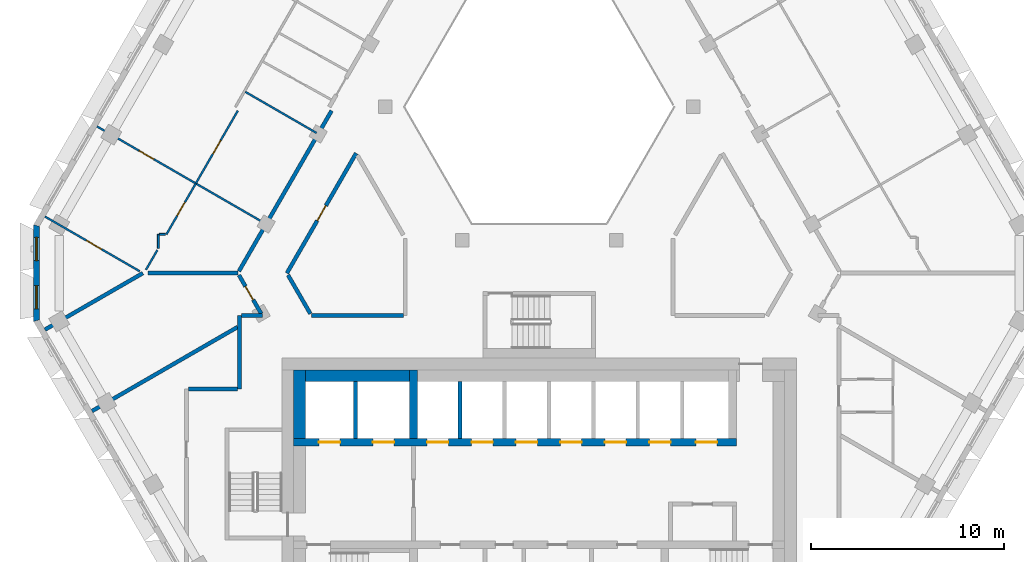
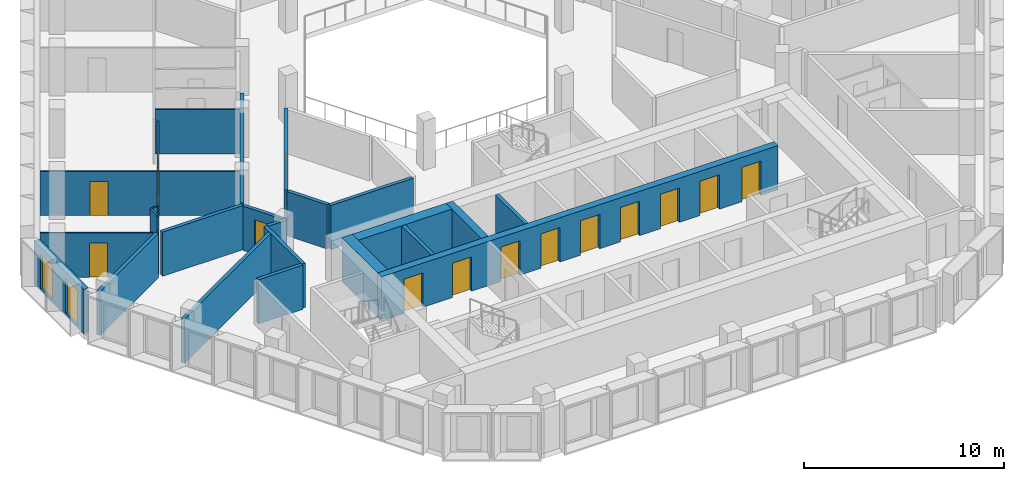
# One storey, part 4 of 17: 26 walls, 15 doors, 2 windows, 17 openings.
"""IFC4 building model written with IfcOpenShell, lengths in metres."""

import ifcopenshell
import ifcopenshell.guid

model = None  # the IFC model being written
_history = None  # IfcOwnerHistory: only IFC2X3 demands one
_inside = {}  # id of a spatial element -> (the spatial element, [elements in it])
_under = {}  # id of a project, library or spatial element -> (it, [spatial elements below it])
_declared = {}  # id of a project -> (the project, [libraries it declares])
_typed = {}  # id of a type object -> (the type object, [elements of that type])
_made_of = {}  # id of a material, layer set ... -> (it, [elements and type objects made of it])


def new_model(schema):
    """Start an empty IFC model of exactly this schema.

    Asked for "IFC4X3", IfcOpenShell would pick the latest addendum, in which some entities
    have other attributes; the version numbers below select the first issue.
    IFC2X3 requires an IfcOwnerHistory on every rooted entity: one is made here for all.
    """
    global model, _history
    if schema == "IFC4X3":
        model = ifcopenshell.file(schema_version=(4, 3, 0, 0))
    else:
        model = ifcopenshell.file(schema=schema)
    _inside.clear()
    _under.clear()
    _declared.clear()
    _typed.clear()
    _made_of.clear()
    _history = None
    if model.schema == "IFC2X3":
        org = make("IfcOrganization", Name="unknown")
        user = make(
            "IfcPersonAndOrganization",
            ThePerson=make("IfcPerson", FamilyName="unknown"),
            TheOrganization=org,
        )
        app = make(
            "IfcApplication",
            ApplicationDeveloper=org,
            Version="unknown",
            ApplicationFullName="unknown",
            ApplicationIdentifier="unknown",
        )
        _history = make(
            "IfcOwnerHistory",
            OwningUser=user,
            OwningApplication=app,
            ChangeAction="ADDED",
            CreationDate=0,
        )
    return model


def make(cls, **values):
    """One entity of the class cls with the attributes given. An attribute that is None is left unset."""
    return model.create_entity(
        cls, **{name: value for name, value in values.items() if value is not None}
    )


def rooted(cls, **values):
    """An entity with a GlobalId (a new one), such as an element, a storey or a relation."""
    return make(cls, GlobalId=ifcopenshell.guid.new(), OwnerHistory=_history, **values)


def si_unit(unit_type, name, prefix=None):
    """IfcSIUnit, for example si_unit("LENGTHUNIT", "METRE", prefix="MILLI")."""
    return make("IfcSIUnit", UnitType=unit_type, Prefix=prefix, Name=name)


def assignment(units):
    """IfcUnitAssignment: the units of a project."""
    return None if units is None else make("IfcUnitAssignment", Units=units)


def point(xyz):
    """IfcCartesianPoint."""
    return None if xyz is None else make("IfcCartesianPoint", Coordinates=xyz)


def direction(xyz):
    """IfcDirection."""
    return None if xyz is None else make("IfcDirection", DirectionRatios=xyz)


def frame(location, z_axis=None, x_axis=None):
    """IfcAxis2Placement3D, a coordinate frame: its origin and axes. An axis left out is left unset."""
    return make(
        "IfcAxis2Placement3D",
        Location=point(location),
        Axis=direction(z_axis),
        RefDirection=direction(x_axis),
    )


def frame_2d(location, x_axis=None):
    """IfcAxis2Placement2D, a coordinate frame in the plane: its origin and x axis."""
    return make(
        "IfcAxis2Placement2D", Location=point(location), RefDirection=direction(x_axis)
    )


def origin():
    """The frame at (0, 0, 0) with its axes left unset."""
    return frame((0.0, 0.0, 0.0))


def place(relative_to, where):
    """IfcLocalPlacement: puts the frame where relative to a parent placement (None: the world)."""
    return make(
        "IfcLocalPlacement", PlacementRelTo=relative_to, RelativePlacement=where
    )


def context(
    kind, dimensions, precision=None, world=None, true_north=None, identifier=None
):
    """IfcGeometricRepresentationContext, for example the 3D "Model" context."""
    return make(
        "IfcGeometricRepresentationContext",
        ContextIdentifier=identifier,
        ContextType=kind,
        CoordinateSpaceDimension=dimensions,
        Precision=precision,
        WorldCoordinateSystem=world,
        TrueNorth=true_north,
    )


def subcontext(parent, identifier, kind, view, scale=None):
    """IfcGeometricRepresentationSubContext, for example "Body" below "Model"."""
    return make(
        "IfcGeometricRepresentationSubContext",
        ContextIdentifier=identifier,
        ContextType=kind,
        ParentContext=parent,
        TargetScale=scale,
        TargetView=view,
    )


def project(units=None, contexts=None):
    """IfcProject with its units and contexts."""
    return rooted(
        "IfcProject",
        Name="project",
        RepresentationContexts=contexts,
        UnitsInContext=assignment(units),
    )


def spatial(cls, under=None, at=None, **own):
    """A site, building, storey or space (cls), placed at a placement, below another one or the project."""
    s = rooted(cls, ObjectPlacement=at, **own)
    if under is not None:
        _under.setdefault(under.id(), (under, []))[1].append(s)
    return s


def polyline(points):
    """IfcPolyline through the points."""
    return make("IfcPolyline", Points=[point(p) for p in points])


def profile(cls, at=None, kind="AREA", **sizes):
    """A parametric profile (cls). Its sizes go by their IFC names, for example OverallWidth=200.0."""
    return make(cls, ProfileType=kind, Position=at, **sizes)


def rectangle(**sizes):
    """IfcRectangleProfileDef."""
    return profile("IfcRectangleProfileDef", **sizes)


def outline(outer, holes=None, kind="AREA"):
    """IfcArbitraryClosedProfileDef: a profile drawn as a closed curve; with holes, ...WithVoids."""
    if holes is None:
        return make("IfcArbitraryClosedProfileDef", ProfileType=kind, OuterCurve=outer)
    return make(
        "IfcArbitraryProfileDefWithVoids",
        ProfileType=kind,
        OuterCurve=outer,
        InnerCurves=holes,
    )


def extrude(swept, where, along, depth):
    """IfcExtrudedAreaSolid: the profile swept, set in the frame where, extruded along a direction by depth."""
    return make(
        "IfcExtrudedAreaSolid",
        SweptArea=swept,
        Position=where,
        ExtrudedDirection=direction(along),
        Depth=depth,
    )


def shape(context_of_items, identifier, shape_type, items):
    """IfcShapeRepresentation: the items that make up one representation, for example the "Body"."""
    return make(
        "IfcShapeRepresentation",
        ContextOfItems=context_of_items,
        RepresentationIdentifier=identifier,
        RepresentationType=shape_type,
        Items=items,
    )


def material(Name=None, Category=None):
    """IfcMaterial."""
    return make("IfcMaterial", Name=Name, Category=Category)


def layer(
    of_material, thickness, ventilated=None, Name=None, Category=None, Priority=None
):
    """IfcMaterialLayer: one layer of a wall or slab, of a material (None: an air gap)."""
    return make(
        "IfcMaterialLayer",
        Material=of_material,
        LayerThickness=thickness,
        IsVentilated=ventilated,
        Name=Name,
        Category=Category,
        Priority=Priority,
    )


def layer_set(layers, Name=None):
    """IfcMaterialLayerSet."""
    return make("IfcMaterialLayerSet", MaterialLayers=layers, LayerSetName=Name)


def made_of(thing, what):
    """Note that an element or type object is made of a material, layer set ...; save() writes the relation."""
    if what is not None:
        _made_of.setdefault(what.id(), (what, []))[1].append(thing)
    return thing


def type_object(cls, material=None, **own):
    """A type object (cls), such as IfcWallType, which elements share."""
    return made_of(rooted(cls, **own), material)


def element(
    cls,
    number,
    at=None,
    inside=None,
    cuts=None,
    type_object=None,
    material=None,
    context=None,
    identifier="Body",
    shape_type=None,
    held_by="IfcProductDefinitionShape",
    body=None,
    shapes=None,
    **own,
):
    """One element of the class cls, such as IfcWall. Its Tag is "e" and its number.

    at: its placement. inside: the storey or other place that contains it. cuts: it is an
    opening in that element (IfcRelVoidsElement). A single representation is given by context,
    identifier, shape_type and body (its items); several are given by shapes. held_by: the class
    of the entity that holds the representations. save() writes the other relations.
    """
    e = rooted(cls, Tag="e%d" % number, ObjectPlacement=at, **own)
    if body is not None:
        shapes = [shape(context, identifier, shape_type, body)]
    if shapes is not None:
        e.Representation = make(held_by, Representations=shapes)
    if inside is not None:
        _inside.setdefault(inside.id(), (inside, []))[1].append(e)
    if cuts is not None:
        rooted(
            "IfcRelVoidsElement", RelatingBuildingElement=cuts, RelatedOpeningElement=e
        )
    if type_object is not None:
        _typed.setdefault(type_object.id(), (type_object, []))[1].append(e)
    return made_of(e, material)


def fill(opening, filler):
    """IfcRelFillsElement: the door or window that sits in an opening."""
    return rooted(
        "IfcRelFillsElement",
        RelatingOpeningElement=opening,
        RelatedBuildingElement=filler,
    )


def aggregate(whole, parts):
    """IfcRelAggregates: a whole, such as a stair, and the parts it consists of."""
    return rooted("IfcRelAggregates", RelatingObject=whole, RelatedObjects=parts)


def save(model, path):
    """Write the relations noted so far, then the file.

    IfcRelAggregates (storeys below a building ...), IfcRelContainedInSpatialStructure (elements
    in a storey), IfcRelDefinesByType, IfcRelAssociatesMaterial and IfcRelDeclares: one each for
    every whole, place, type object, material and project.
    """
    for whole, parts in _under.values():
        aggregate(whole, parts)
    for where, things in _inside.values():
        rooted(
            "IfcRelContainedInSpatialStructure",
            RelatedElements=things,
            RelatingStructure=where,
        )
    for kind, things in _typed.values():
        rooted("IfcRelDefinesByType", RelatedObjects=things, RelatingType=kind)
    for what, things in _made_of.values():
        rooted("IfcRelAssociatesMaterial", RelatedObjects=things, RelatingMaterial=what)
    for by, libraries in _declared.values():
        rooted("IfcRelDeclares", RelatingContext=by, RelatedDefinitions=libraries)
    model.write(path)


model = new_model("IFC4")

# Units and contexts
model_context = context("Model", 3, precision=1e-05, world=origin(), true_north=direction((0.0, 1.0)))
body_context = subcontext(model_context, "Body", "Model", "MODEL_VIEW")
ifc_project = project(units=[si_unit("LENGTHUNIT", "METRE"), si_unit("AREAUNIT", "SQUARE_METRE"), si_unit("VOLUMEUNIT", "CUBIC_METRE"), si_unit("PLANEANGLEUNIT", "RADIAN"), si_unit("MASSUNIT", "GRAM", prefix="KILO")], contexts=[model_context])

# Site, building, storey
site_placement = place(None, origin())
site = spatial("IfcSite", under=ifc_project, at=site_placement, CompositionType="ELEMENT")
building_placement = place(site_placement, origin())
building = spatial("IfcBuilding", under=site, at=building_placement, Name="Beryl Residences", CompositionType="ELEMENT")
storey_placement = place(building_placement, frame((0.0, 0.0, 166.199951171875)))
storey = spatial("IfcBuildingStorey", under=building, at=storey_placement, Name="L50", CompositionType="ELEMENT", Elevation=166.199951171875)

# Wall, openings, windows
ifc_material_1 = material(Name="Composite metal panel with mineral wool insulation")
ifc_layer_1 = layer(ifc_material_1, 0.300048828125)
ifc_layer_set_1 = layer_set([ifc_layer_1], Name="ES1 pale metal composite panel wall 300 mm")
wall_type_1 = type_object("IfcWallType", Name="ES1 pale metal composite panel wall 300 mm", PredefinedType="SOLIDWALL", material=ifc_layer_set_1)
wall_1_placement = place(storey_placement, frame((-26.00390625, 1.89990234375, 0.0), z_axis=(0.0, 0.0, 1.0), x_axis=(0.0, -1.0, 0.0)))
wall_1 = element("IfcWall", 1, at=wall_1_placement, inside=storey, type_object=wall_type_1, Name="ES1 external wall L50 NW-SW", PredefinedType="SOLIDWALL", context=body_context, shape_type="SweptSolid", body=[
    extrude(outline(polyline([(0.0, -0.14990234375), (5.0, -0.14990234375), (4.919677734375, 0.14990234375), (0.080322265625, 0.14990234375), (0.0, -0.14990234375)])), origin(), (0.0, 0.0, 1.0), 2.699951171875),
])
opening_1_placement = place(wall_1_placement, frame((0.64990234375, 0.0, 0.14990234375)))
opening_1 = element("IfcOpeningElement", 2, at=opening_1_placement, cuts=wall_1, Name="Opening W2", PredefinedType="OPENING", context=body_context, shape_type="SweptSolid", body=[
    extrude(rectangle(XDim=1.199951171875, YDim=2.10009765625, at=frame_2d((0.60009765625, 1.050048828125))), frame((0.0, 0.159912109375, 0.0), z_axis=(0.0, -1.0, 0.0), x_axis=(1.0, 0.0, 0.0)), (0.0, 0.0, 1.0), 0.320068359375),
])
opening_2_placement = place(wall_1_placement, frame((3.14990234375, 0.0, 0.14990234375)))
opening_2 = element("IfcOpeningElement", 3, at=opening_2_placement, cuts=wall_1, Name="Opening W2", PredefinedType="OPENING", context=body_context, shape_type="SweptSolid", body=[
    extrude(rectangle(XDim=1.199951171875, YDim=2.10009765625, at=frame_2d((0.60009765625, 1.050048828125))), frame((0.0, 0.159912109375, 0.0), z_axis=(0.0, -1.0, 0.0), x_axis=(1.0, 0.0, 0.0)), (0.0, 0.0, 1.0), 0.320068359375),
])
ifc_material_2 = material(Name="Aluminium and clear glass", Category="aluminium")
window_type = type_object("IfcWindowType", Name="W2 chamfer window 1200 x 2100 mm", PartitioningType="SINGLE_PANEL", PredefinedType="WINDOW", material=ifc_material_2)
window_1_placement = place(opening_1_placement, origin())
window_1 = element("IfcWindow", 4, at=window_1_placement, inside=storey, type_object=window_type, Name="W2 window L50 NW-SW 1", OverallHeight=2.10009765625, OverallWidth=1.199951171875, PartitioningType="SINGLE_PANEL", PredefinedType="WINDOW", context=body_context, shape_type="SweptSolid", body=[
    extrude(rectangle(XDim=1.199951171875, YDim=2.10009765625, at=frame_2d((0.60009765625, 1.050048828125))), frame((0.0, 0.030029296875, 0.0), z_axis=(0.0, -1.0, 0.0), x_axis=(1.0, 0.0, 0.0)), (0.0, 0.0, 1.0), 0.06005859375),
])
fill(opening_1, window_1)
window_2_placement = place(opening_2_placement, origin())
window_2 = element("IfcWindow", 5, at=window_2_placement, inside=storey, type_object=window_type, Name="W2 window L50 NW-SW 2", OverallHeight=2.10009765625, OverallWidth=1.199951171875, PartitioningType="SINGLE_PANEL", PredefinedType="WINDOW", context=body_context, shape_type="SweptSolid", body=[
    extrude(rectangle(XDim=1.199951171875, YDim=2.10009765625, at=frame_2d((0.60009765625, 1.050048828125))), frame((0.0, 0.030029296875, 0.0), z_axis=(0.0, -1.0, 0.0), x_axis=(1.0, 0.0, 0.0)), (0.0, 0.0, 1.0), 0.06005859375),
])
fill(opening_2, window_2)

# Wall, opening, door
ifc_material_3 = material(Name="Gypsum board partition on steel studs", Category="steel")
ifc_layer_2 = layer(ifc_material_3, 0.10009765625)
ifc_layer_set_2 = layer_set([ifc_layer_2], Name="PT1 partition 100 mm gypsum board on steel studs")
wall_type_2 = type_object("IfcWallType", Name="PT1 partition 100 mm gypsum board on steel studs", PredefinedType="PARTITIONING", material=ifc_layer_set_2)
wall_2_placement = place(storey_placement, frame((-22.8701171875, 6.987060546875, 0.0), z_axis=(0.0, 0.0, 1.0), x_axis=(0.866022959057, -0.500004234368, 0.0)))
wall_2 = element("IfcWall", 6, at=wall_2_placement, inside=storey, type_object=wall_type_2, Name="Wall PT1 L50 009", PredefinedType="PARTITIONING", context=body_context, shape_type="SweptSolid", body=[
    extrude(rectangle(XDim=10.0, YDim=0.10009765625, at=frame_2d((5.0, 0.0))), origin(), (0.0, 0.0, 1.0), 2.699951171875),
])
opening_3_placement = place(wall_2_placement, frame((2.5, 0.0, 0.0)))
opening_3 = element("IfcOpeningElement", 7, at=opening_3_placement, cuts=wall_2, Name="Opening D1412", PredefinedType="OPENING", context=body_context, shape_type="SweptSolid", body=[
    extrude(rectangle(XDim=0.89990234375, YDim=2.10009765625, at=frame_2d((0.449951171875, 1.050048828125))), frame((0.0, 0.06005859375, 0.0), z_axis=(0.0, -1.0, 0.0), x_axis=(1.0, 0.0, 0.0)), (0.0, 0.0, 1.0), 0.1201171875),
])
ifc_material_4 = material(Name="Timber door leaf", Category="wood")
door_type_1 = type_object("IfcDoorType", Name="D2 room door 900 x 2100 mm", OperationType="SINGLE_SWING_LEFT", PredefinedType="DOOR", material=ifc_material_4)
door_1_placement = place(opening_3_placement, origin())
door_1 = element("IfcDoor", 8, at=door_1_placement, inside=storey, type_object=door_type_1, Name="Door D1412 L50 001", OperationType="SINGLE_SWING_RIGHT", OverallHeight=2.10009765625, OverallWidth=0.89990234375, PredefinedType="DOOR", context=body_context, shape_type="SweptSolid", body=[
    extrude(rectangle(XDim=0.89990234375, YDim=2.10009765625, at=frame_2d((0.449951171875, 1.050048828125))), frame((0.0, 0.02490234375, 0.0), z_axis=(0.0, -1.0, 0.0), x_axis=(1.0, 0.0, 0.0)), (0.0, 0.0, 1.0), 0.050048828125),
])
fill(opening_3, door_1)

wall_3_placement = place(storey_placement, frame((-25.56201171875, 2.324951171875, 0.0), z_axis=(0.0, 0.0, 1.0), x_axis=(0.865998530728, -0.500046542611, 0.0)))
wall_3 = element("IfcWall", 9, at=wall_3_placement, inside=storey, type_object=wall_type_2, Name="Wall PT1 L50 010", PredefinedType="PARTITIONING", context=body_context, shape_type="SweptSolid", body=[
    extrude(rectangle(XDim=5.6513671875, YDim=0.10009765625, at=frame_2d((2.82568359375, 0.0))), origin(), (0.0, 0.0, 1.0), 2.699951171875),
])
opening_4_placement = place(wall_3_placement, frame((2.47607421875, 0.0, 0.0)))
opening_4 = element("IfcOpeningElement", 10, at=opening_4_placement, cuts=wall_3, Name="Opening D1415", PredefinedType="OPENING", context=body_context, shape_type="SweptSolid", body=[
    extrude(rectangle(XDim=0.89990234375, YDim=2.10009765625, at=frame_2d((0.449951171875, 1.050048828125))), frame((0.0, 0.06005859375, 0.0), z_axis=(0.0, -1.0, 0.0), x_axis=(1.0, 0.0, 0.0)), (0.0, 0.0, 1.0), 0.1201171875),
])
door_2_placement = place(opening_4_placement, origin())
door_2 = element("IfcDoor", 11, at=door_2_placement, inside=storey, type_object=door_type_1, Name="Door D1415 L50 001", OperationType="SINGLE_SWING_LEFT", OverallHeight=2.10009765625, OverallWidth=0.89990234375, PredefinedType="DOOR", context=body_context, shape_type="SweptSolid", body=[
    extrude(rectangle(XDim=0.89990234375, YDim=2.10009765625, at=frame_2d((0.449951171875, 1.050048828125))), frame((0.0, 0.02490234375, 0.0), z_axis=(0.0, -1.0, 0.0), x_axis=(1.0, 0.0, 0.0)), (0.0, 0.0, 1.0), 0.050048828125),
])
fill(opening_4, door_2)

# Walls
wall_4_placement = place(storey_placement, frame((-15.198974609375, 8.77490234375, 0.0), z_axis=(0.0, 0.0, 1.0), x_axis=(0.866043063166, -0.499969411806, 0.0)))
element("IfcWall", 12, at=wall_4_placement, inside=storey, type_object=wall_type_2, Name="Wall PT1 L50 011", PredefinedType="PARTITIONING", context=body_context, shape_type="SweptSolid", body=[
    extrude(rectangle(XDim=4.250244140625, YDim=0.10009765625, at=frame_2d((2.125, 0.0))), origin(), (0.0, 0.0, 1.0), 2.699951171875),
])
wall_5_placement = place(storey_placement, frame((-19.64990234375, 1.39990234375, 0.0), z_axis=(0.0, 0.0, 1.0), x_axis=(1.0, 0.0, 0.0)))
element("IfcWall", 13, at=wall_5_placement, inside=storey, type_object=wall_type_2, Name="Wall PT1 L50 016", PredefinedType="PARTITIONING", context=body_context, shape_type="SweptSolid", body=[
    extrude(rectangle(XDim=0.308837890625, YDim=0.10009765625, at=frame_2d((0.154296875, 0.0))), origin(), (0.0, 0.0, 1.0), 2.699951171875),
])
wall_6_placement = place(storey_placement, frame((-20.337890625, -0.427001953125, 0.0), z_axis=(0.0, 0.0, 1.0), x_axis=(0.500069990121, 0.865984991198, 0.0)))
element("IfcWall", 14, at=wall_6_placement, inside=storey, type_object=wall_type_2, Name="Wall PT1 L50 022", PredefinedType="PARTITIONING", context=body_context, shape_type="SweptSolid", body=[
    extrude(rectangle(XDim=1.175537109375, YDim=0.10009765625, at=frame_2d((0.587890625, 0.0))), origin(), (0.0, 0.0, 1.0), 2.699951171875),
])

# Wall, opening, door
wall_7_placement = place(storey_placement, frame((-19.282958984375, 1.39990234375, 0.0), z_axis=(0.0, 0.0, 1.0), x_axis=(0.499847391584, 0.866113494368, 0.0)))
wall_7 = element("IfcWall", 15, at=wall_7_placement, inside=storey, type_object=wall_type_2, Name="Wall PT1 L50 023", PredefinedType="PARTITIONING", context=body_context, shape_type="SweptSolid", body=[
    extrude(rectangle(XDim=3.044921875, YDim=0.10009765625, at=frame_2d((1.5224609375, 0.0))), origin(), (0.0, 0.0, 1.0), 2.699951171875),
])
opening_5_placement = place(wall_7_placement, frame((1.123046875, 0.0, 0.0)))
opening_5 = element("IfcOpeningElement", 16, at=opening_5_placement, cuts=wall_7, Name="Opening D1417", PredefinedType="OPENING", context=body_context, shape_type="SweptSolid", body=[
    extrude(rectangle(XDim=0.800048828125, YDim=2.10009765625, at=frame_2d((0.39990234375, 1.050048828125))), frame((0.0, 0.06005859375, 0.0), z_axis=(0.0, -1.0, 0.0), x_axis=(1.0, 0.0, 0.0)), (0.0, 0.0, 1.0), 0.1201171875),
])
ifc_material_5 = material(Name="Timber door leaf", Category="wood")
door_type_2 = type_object("IfcDoorType", Name="D3 bathroom door 800 x 2100 mm", OperationType="SINGLE_SWING_LEFT", PredefinedType="DOOR", material=ifc_material_5)
door_3_placement = place(opening_5_placement, origin())
door_3 = element("IfcDoor", 17, at=door_3_placement, inside=storey, type_object=door_type_2, Name="Door D1417 L50 001", OperationType="SINGLE_SWING_LEFT", OverallHeight=2.10009765625, OverallWidth=0.800048828125, PredefinedType="DOOR", context=body_context, shape_type="SweptSolid", body=[
    extrude(rectangle(XDim=0.800048828125, YDim=2.10009765625, at=frame_2d((0.39990234375, 1.050048828125))), frame((0.0, 0.02490234375, 0.0), z_axis=(0.0, -1.0, 0.0), x_axis=(1.0, 0.0, 0.0)), (0.0, 0.0, 1.0), 0.050048828125),
])
fill(opening_5, door_3)

# Wall
wall_8_placement = place(storey_placement, frame((-19.699951171875, 0.677978515625, 0.0), z_axis=(0.0, 0.0, 1.0), x_axis=(0.0, 1.0, 0.0)))
element("IfcWall", 18, at=wall_8_placement, inside=storey, type_object=wall_type_2, Name="Wall PT1 L50 031", PredefinedType="PARTITIONING", context=body_context, shape_type="SweptSolid", body=[
    extrude(rectangle(XDim=0.721923828125, YDim=0.10009765625, at=frame_2d((0.36083984375, 0.0))), origin(), (0.0, 0.0, 1.0), 2.699951171875),
])

# Wall, opening, door
wall_9_placement = place(storey_placement, frame((-17.760986328125, 4.037109375, 0.0), z_axis=(0.0, 0.0, 1.0), x_axis=(0.50009692756, 0.865969435399, 0.0)))
wall_9 = element("IfcWall", 19, at=wall_9_placement, inside=storey, type_object=wall_type_2, Name="Wall PT1 L50 040", PredefinedType="PARTITIONING", context=body_context, shape_type="SweptSolid", body=[
    extrude(rectangle(XDim=4.345458984375, YDim=0.10009765625, at=frame_2d((2.1728515625, 0.0))), origin(), (0.0, 0.0, 1.0), 2.699951171875),
])
opening_6_placement = place(wall_9_placement, frame((1.77197265625, 0.0, 0.0)))
opening_6 = element("IfcOpeningElement", 20, at=opening_6_placement, cuts=wall_9, Name="Opening D1414", PredefinedType="OPENING", context=body_context, shape_type="SweptSolid", body=[
    extrude(rectangle(XDim=0.800048828125, YDim=2.10009765625, at=frame_2d((0.39990234375, 1.050048828125))), frame((0.0, 0.06005859375, 0.0), z_axis=(0.0, -1.0, 0.0), x_axis=(1.0, 0.0, 0.0)), (0.0, 0.0, 1.0), 0.1201171875),
])
door_4_placement = place(opening_6_placement, origin())
door_4 = element("IfcDoor", 21, at=door_4_placement, inside=storey, type_object=door_type_2, Name="Door D1414 L50 001", OperationType="SINGLE_SWING_RIGHT", OverallHeight=2.10009765625, OverallWidth=0.800048828125, PredefinedType="DOOR", context=body_context, shape_type="SweptSolid", body=[
    extrude(rectangle(XDim=0.800048828125, YDim=2.10009765625, at=frame_2d((0.39990234375, 1.050048828125))), frame((0.0, 0.02490234375, 0.0), z_axis=(0.0, -1.0, 0.0), x_axis=(1.0, 0.0, 0.0)), (0.0, 0.0, 1.0), 0.050048828125),
])
fill(opening_6, door_4)

# Walls
ifc_material_6 = material(Name="Acoustic double stud gypsum board wall")
ifc_layer_3 = layer(ifc_material_6, 0.199951171875)
ifc_layer_set_3 = layer_set([ifc_layer_3], Name="PT3 party wall 200 mm acoustic double stud")
wall_type_3 = type_object("IfcWallType", Name="PT3 party wall 200 mm acoustic double stud", PredefinedType="PARTITIONING", material=ifc_layer_set_3)
wall_10_placement = place(storey_placement, frame((-20.238037109375, -0.60107421875, 0.0), z_axis=(0.0, 0.0, 1.0), x_axis=(1.0, 0.0, 0.0)))
element("IfcWall", 22, at=wall_10_placement, inside=storey, type_object=wall_type_3, Name="Wall PT3 L50 007", PredefinedType="PARTITIONING", context=body_context, shape_type="SweptSolid", body=[
    extrude(rectangle(XDim=4.650146484375, YDim=0.199951171875, at=frame_2d((2.3251953125, 0.0))), origin(), (0.0, 0.0, 1.0), 2.699951171875),
])
wall_11_placement = place(storey_placement, frame((-23.1298828125, -7.737060546875, 0.0), z_axis=(0.0, 0.0, 1.0), x_axis=(0.86598451299, 0.500070818246, 0.0)))
element("IfcWall", 23, at=wall_11_placement, inside=storey, type_object=wall_type_3, Name="Wall PT3 L50 013", PredefinedType="PARTITIONING", context=body_context, shape_type="SweptSolid", body=[
    extrude(rectangle(XDim=8.695068359375, YDim=0.199951171875, at=frame_2d((4.34765625, 0.0))), origin(), (0.0, 0.0, 1.0), 2.699951171875),
])
wall_12_placement = place(storey_placement, frame((-25.56298828125, -3.52392578125, 0.0), z_axis=(0.0, 0.0, 1.0), x_axis=(0.866128586522, 0.499821239653, 0.0)))
element("IfcWall", 24, at=wall_12_placement, inside=storey, type_object=wall_type_3, Name="Wall PT3 L50 014", PredefinedType="PARTITIONING", context=body_context, shape_type="SweptSolid", body=[
    extrude(rectangle(XDim=5.847900390625, YDim=0.199951171875, at=frame_2d((2.923828125, 0.0))), origin(), (0.0, 0.0, 1.0), 2.699951171875),
])
ifc_material_7 = material(Name="Double stud gypsum board wall")
ifc_layer_4 = layer(ifc_material_7, 0.199951171875)
ifc_layer_set_4 = layer_set([ifc_layer_4], Name="PT4 corridor wall 200 mm double stud")
wall_type_4 = type_object("IfcWallType", Name="PT4 corridor wall 200 mm double stud", PredefinedType="PARTITIONING", material=ifc_layer_set_4)
wall_13_placement = place(storey_placement, frame((-12.989990234375, -0.700927734375, 0.0), z_axis=(0.0, 0.0, 1.0), x_axis=(0.499972710878, -0.866041158593, 0.0)))
element("IfcWall", 25, at=wall_13_placement, inside=storey, type_object=wall_type_4, Name="Wall PT4 L50 002", PredefinedType="PARTITIONING", context=body_context, shape_type="SweptSolid", body=[
    extrude(rectangle(XDim=2.308349609375, YDim=0.199951171875, at=frame_2d((1.154296875, 0.0))), origin(), (0.0, 0.0, 1.0), 2.699951171875),
])

# Wall, opening, door
wall_14_placement = place(storey_placement, frame((-15.530029296875, -0.700927734375, 0.0), z_axis=(0.0, 0.0, 1.0), x_axis=(0.499972710878, -0.866041158593, 0.0)))
wall_14 = element("IfcWall", 26, at=wall_14_placement, inside=storey, type_object=wall_type_4, Name="Wall PT4 L50 003", PredefinedType="PARTITIONING", context=body_context, shape_type="SweptSolid", body=[
    extrude(rectangle(XDim=2.308349609375, YDim=0.199951171875, at=frame_2d((1.154296875, 0.0))), origin(), (0.0, 0.0, 1.0), 2.699951171875),
])
opening_7_placement = place(wall_14_placement, frame((0.674072265625, 0.0, 0.0)))
opening_7 = element("IfcOpeningElement", 27, at=opening_7_placement, cuts=wall_14, Name="Opening D1418", PredefinedType="OPENING", context=body_context, shape_type="SweptSolid", body=[
    extrude(rectangle(XDim=0.800048828125, YDim=2.10009765625, at=frame_2d((0.39990234375, 1.050048828125))), frame((0.0, 0.10986328125, 0.0), z_axis=(0.0, -1.0, 0.0), x_axis=(1.0, 0.0, 0.0)), (0.0, 0.0, 1.0), 0.219970703125),
])
door_5_placement = place(opening_7_placement, origin())
door_5 = element("IfcDoor", 28, at=door_5_placement, inside=storey, type_object=door_type_2, Name="Door D1418 L50 001", OperationType="SINGLE_SWING_RIGHT", OverallHeight=2.10009765625, OverallWidth=0.800048828125, PredefinedType="DOOR", context=body_context, shape_type="SweptSolid", body=[
    extrude(rectangle(XDim=0.800048828125, YDim=2.10009765625, at=frame_2d((0.39990234375, 1.050048828125))), frame((0.0, 0.02490234375, 0.0), z_axis=(0.0, -1.0, 0.0), x_axis=(1.0, 0.0, 0.0)), (0.0, 0.0, 1.0), 0.050048828125),
])
fill(opening_7, door_5)

# Walls
wall_15_placement = place(storey_placement, frame((-18.14892578125, -6.60009765625, 0.0), z_axis=(0.0, 0.0, 1.0), x_axis=(1.0, 0.0, 0.0)))
element("IfcWall", 29, at=wall_15_placement, inside=storey, type_object=wall_type_4, Name="Wall PT4 L50 008", PredefinedType="PARTITIONING", context=body_context, shape_type="SweptSolid", body=[
    extrude(rectangle(XDim=2.548828125, YDim=0.199951171875, at=frame_2d((1.2744140625, 0.0))), origin(), (0.0, 0.0, 1.0), 2.699951171875),
])
wall_16_placement = place(storey_placement, frame((-15.39892578125, -2.800048828125, 0.0), z_axis=(0.0, 0.0, 1.0), x_axis=(1.0, 0.0, 0.0)))
element("IfcWall", 30, at=wall_16_placement, inside=storey, type_object=wall_type_4, Name="Wall PT4 L50 010", PredefinedType="PARTITIONING", context=body_context, shape_type="SweptSolid", body=[
    extrude(rectangle(XDim=1.080810546875, YDim=0.199951171875, at=frame_2d((0.54052734375, 0.0))), origin(), (0.0, 0.0, 1.0), 2.699951171875),
])
wall_17_placement = place(storey_placement, frame((-11.778076171875, -2.800048828125, 0.0), z_axis=(0.0, 0.0, 1.0), x_axis=(1.0, 0.0, 0.0)))
element("IfcWall", 31, at=wall_17_placement, inside=storey, type_object=wall_type_4, Name="Wall PT4 L50 011", PredefinedType="PARTITIONING", context=body_context, shape_type="SweptSolid", body=[
    extrude(rectangle(XDim=4.75, YDim=0.199951171875, at=frame_2d((2.375, 0.0))), origin(), (0.0, 0.0, 1.0), 2.699951171875),
])

# Wall, opening, door
wall_18_placement = place(storey_placement, frame((-13.048095703125, -0.60107421875, 0.0), z_axis=(0.0, 0.0, 1.0), x_axis=(0.499982180423, 0.866035691677, 0.0)))
wall_18 = element("IfcWall", 32, at=wall_18_placement, inside=storey, type_object=wall_type_4, Name="Wall PT4 L50 019", PredefinedType="PARTITIONING", context=body_context, shape_type="SweptSolid", body=[
    extrude(rectangle(XDim=7.160400390625, YDim=0.199951171875, at=frame_2d((3.580078125, 0.0))), origin(), (0.0, 0.0, 1.0), 2.699951171875),
])
opening_8_placement = place(wall_18_placement, frame((3.1298828125, 0.0, 0.0)))
opening_8 = element("IfcOpeningElement", 33, at=opening_8_placement, cuts=wall_18, Name="Opening D1438", PredefinedType="OPENING", context=body_context, shape_type="SweptSolid", body=[
    extrude(rectangle(XDim=0.89990234375, YDim=2.10009765625, at=frame_2d((0.449951171875, 1.050048828125))), frame((0.0, 0.10986328125, 0.0), z_axis=(0.0, -1.0, 0.0), x_axis=(1.0, 0.0, 0.0)), (0.0, 0.0, 1.0), 0.219970703125),
])
door_6_placement = place(opening_8_placement, origin())
door_6 = element("IfcDoor", 34, at=door_6_placement, inside=storey, type_object=door_type_1, Name="Door D1438 L50 001", OperationType="SINGLE_SWING_RIGHT", OverallHeight=2.10009765625, OverallWidth=0.89990234375, PredefinedType="DOOR", context=body_context, shape_type="SweptSolid", body=[
    extrude(rectangle(XDim=0.89990234375, YDim=2.10009765625, at=frame_2d((0.449951171875, 1.050048828125))), frame((0.0, 0.02490234375, 0.0), z_axis=(0.0, -1.0, 0.0), x_axis=(1.0, 0.0, 0.0)), (0.0, 0.0, 1.0), 0.050048828125),
])
fill(opening_8, door_6)

# Walls
wall_19_placement = place(storey_placement, frame((-15.530029296875, -0.5009765625, 0.0), z_axis=(0.0, 0.0, 1.0), x_axis=(0.499952498232, 0.866052827206, 0.0)))
element("IfcWall", 35, at=wall_19_placement, inside=storey, type_object=wall_type_4, Name="Wall PT4 L50 020", PredefinedType="PARTITIONING", context=body_context, shape_type="SweptSolid", body=[
    extrude(rectangle(XDim=9.5849609375, YDim=0.199951171875, at=frame_2d((4.79248046875, 0.0))), origin(), (0.0, 0.0, 1.0), 2.699951171875),
])
wall_20_placement = place(storey_placement, frame((-15.5, -6.60009765625, 0.0), z_axis=(0.0, 0.0, 1.0), x_axis=(0.0, 1.0, 0.0)))
element("IfcWall", 36, at=wall_20_placement, inside=storey, type_object=wall_type_4, Name="Wall PT4 L50 025", PredefinedType="PARTITIONING", context=body_context, shape_type="SweptSolid", body=[
    extrude(rectangle(XDim=3.799072265625, YDim=0.199951171875, at=frame_2d((1.8994140625, 0.0))), origin(), (0.0, 0.0, 1.0), 2.699951171875),
])
ifc_material_8 = material(Name="Concrete C40/50", Category="concrete")
ifc_layer_5 = layer(ifc_material_8, 0.199951171875)
ifc_layer_set_5 = layer_set([ifc_layer_5], Name="PT6 lift shaft wall 200 mm reinforced concrete C40/50")
wall_type_5 = type_object("IfcWallType", Name="PT6 lift shaft wall 200 mm reinforced concrete C40/50", PredefinedType="SOLIDWALL", material=ifc_layer_set_5)
for number, where, z_axis, x_axis, name in (
    (37, (-9.5, -9.14990234375, 0.0), (0.0, 0.0, 1.0), (0.0, 1.0, 0.0), "Lift shaft wall 11"),
    (38, (-4.10009765625, -9.14990234375, 0.0), (0.0, 0.0, 1.0), (0.0, 1.0, 0.0), "Lift shaft wall 15"),
):
    element("IfcWall", number, at=place(storey_placement, frame(where, z_axis=z_axis, x_axis=x_axis)), inside=storey, type_object=wall_type_5, Name=name, PredefinedType="SOLIDWALL", context=body_context, shape_type="SweptSolid", body=[
        extrude(rectangle(XDim=2.949951171875, YDim=0.199951171875, at=frame_2d((1.47509765625, 0.0))), origin(), (0.0, 0.0, 1.0), 2.699951171875),
    ])
ifc_material_9 = material(Name="Concrete C40/50", Category="concrete")
ifc_layer_6 = layer(ifc_material_9, 0.60009765625)
ifc_layer_set_6 = layer_set([ifc_layer_6], Name="PT6-600 lift shaft wall 600 mm")
wall_type_6 = type_object("IfcWallType", Name="PT6-600 lift shaft wall 600 mm", PredefinedType="SOLIDWALL", material=ifc_layer_set_6)
wall_21_placement = place(storey_placement, frame((-12.39990234375, -9.14990234375, 0.0), z_axis=(0.0, 0.0, 1.0), x_axis=(0.0, 1.0, 0.0)))
element("IfcWall", 39, at=wall_21_placement, inside=storey, type_object=wall_type_6, Name="Lift shaft wall 07", PredefinedType="SOLIDWALL", context=body_context, shape_type="SweptSolid", body=[
    extrude(rectangle(XDim=3.5498046875, YDim=0.60009765625, at=frame_2d((1.77490234375, 0.0))), origin(), (0.0, 0.0, 1.0), 2.699951171875),
])
wall_22_placement = place(storey_placement, frame((-12.10009765625, -5.89990234375, 0.0), z_axis=(0.0, 0.0, 1.0), x_axis=(1.0, 0.0, 0.0)))
element("IfcWall", 40, at=wall_22_placement, inside=storey, type_object=wall_type_6, Name="Lift shaft wall 09", PredefinedType="SOLIDWALL", context=body_context, shape_type="SweptSolid", body=[
    extrude(rectangle(XDim=5.400146484375, YDim=0.60009765625, at=frame_2d((2.7001953125, 0.0))), origin(), (0.0, 0.0, 1.0), 2.699951171875),
])

# Wall, openings, doors
ifc_material_10 = material(Name="Concrete C50/60", Category="concrete")
ifc_layer_7 = layer(ifc_material_10, 0.39990234375)
ifc_layer_set_7 = layer_set([ifc_layer_7], Name="SW9 core internal wall 400 mm C50/60")
wall_type_7 = type_object("IfcWallType", Name="SW9 core internal wall 400 mm C50/60", PredefinedType="SHEAR", material=ifc_layer_set_7)
wall_23_placement = place(storey_placement, frame((-12.699951171875, -9.35009765625, 0.0), z_axis=(0.0, 0.0, 1.0), x_axis=(1.0, 0.0, 0.0)))
wall_23 = element("IfcWall", 41, at=wall_23_placement, inside=storey, type_object=wall_type_7, Name="Core wall SP2 L50", PredefinedType="SHEAR", context=body_context, shape_type="SweptSolid", body=[
    extrude(rectangle(XDim=22.89990234375, YDim=0.39990234375, at=frame_2d((11.449951171875, 0.0))), origin(), (0.0, 0.0, 1.0), 2.699951171875),
])
opening_9_placement = place(wall_23_placement, frame((1.300048828125, 0.0, 0.0)))
opening_9 = element("IfcOpeningElement", 42, at=opening_9_placement, cuts=wall_23, Name="Opening LD-FF1", PredefinedType="OPENING", context=body_context, shape_type="SweptSolid", body=[
    extrude(rectangle(XDim=1.10009765625, YDim=2.10009765625, at=frame_2d((0.550048828125, 1.050048828125))), frame((0.0, 0.2099609375, 0.0), z_axis=(0.0, -1.0, 0.0), x_axis=(1.0, 0.0, 0.0)), (0.0, 0.0, 1.0), 0.419921875),
])
opening_10_placement = place(wall_23_placement, frame((4.10009765625, 0.0, 0.0)))
opening_10 = element("IfcOpeningElement", 43, at=opening_10_placement, cuts=wall_23, Name="Opening LD-FF2", PredefinedType="OPENING", context=body_context, shape_type="SweptSolid", body=[
    extrude(rectangle(XDim=1.10009765625, YDim=2.10009765625, at=frame_2d((0.550048828125, 1.050048828125))), frame((0.0, 0.2099609375, 0.0), z_axis=(0.0, -1.0, 0.0), x_axis=(1.0, 0.0, 0.0)), (0.0, 0.0, 1.0), 0.419921875),
])
opening_11_placement = place(wall_23_placement, frame((6.89990234375, 0.0, 0.0)))
opening_11 = element("IfcOpeningElement", 44, at=opening_11_placement, cuts=wall_23, Name="Opening LD-HR1", PredefinedType="OPENING", context=body_context, shape_type="SweptSolid", body=[
    extrude(rectangle(XDim=1.10009765625, YDim=2.10009765625, at=frame_2d((0.550048828125, 1.050048828125))), frame((0.0, 0.2099609375, 0.0), z_axis=(0.0, -1.0, 0.0), x_axis=(1.0, 0.0, 0.0)), (0.0, 0.0, 1.0), 0.419921875),
])
opening_12_placement = place(wall_23_placement, frame((9.199951171875, 0.0, 0.0)))
opening_12 = element("IfcOpeningElement", 45, at=opening_12_placement, cuts=wall_23, Name="Opening LD-HR2", PredefinedType="OPENING", context=body_context, shape_type="SweptSolid", body=[
    extrude(rectangle(XDim=1.10009765625, YDim=2.10009765625, at=frame_2d((0.550048828125, 1.050048828125))), frame((0.0, 0.2099609375, 0.0), z_axis=(0.0, -1.0, 0.0), x_axis=(1.0, 0.0, 0.0)), (0.0, 0.0, 1.0), 0.419921875),
])
opening_13_placement = place(wall_23_placement, frame((11.5, 0.0, 0.0)))
opening_13 = element("IfcOpeningElement", 46, at=opening_13_placement, cuts=wall_23, Name="Opening LD-HR3", PredefinedType="OPENING", context=body_context, shape_type="SweptSolid", body=[
    extrude(rectangle(XDim=1.10009765625, YDim=2.10009765625, at=frame_2d((0.550048828125, 1.050048828125))), frame((0.0, 0.2099609375, 0.0), z_axis=(0.0, -1.0, 0.0), x_axis=(1.0, 0.0, 0.0)), (0.0, 0.0, 1.0), 0.419921875),
])
opening_14_placement = place(wall_23_placement, frame((13.800048828125, 0.0, 0.0)))
opening_14 = element("IfcOpeningElement", 47, at=opening_14_placement, cuts=wall_23, Name="Opening LD-HR4", PredefinedType="OPENING", context=body_context, shape_type="SweptSolid", body=[
    extrude(rectangle(XDim=1.10009765625, YDim=2.10009765625, at=frame_2d((0.550048828125, 1.050048828125))), frame((0.0, 0.2099609375, 0.0), z_axis=(0.0, -1.0, 0.0), x_axis=(1.0, 0.0, 0.0)), (0.0, 0.0, 1.0), 0.419921875),
])
opening_15_placement = place(wall_23_placement, frame((16.10009765625, 0.0, 0.0)))
opening_15 = element("IfcOpeningElement", 48, at=opening_15_placement, cuts=wall_23, Name="Opening LD-HR5", PredefinedType="OPENING", context=body_context, shape_type="SweptSolid", body=[
    extrude(rectangle(XDim=1.10009765625, YDim=2.10009765625, at=frame_2d((0.550048828125, 1.050048828125))), frame((0.0, 0.2099609375, 0.0), z_axis=(0.0, -1.0, 0.0), x_axis=(1.0, 0.0, 0.0)), (0.0, 0.0, 1.0), 0.419921875),
])
opening_16_placement = place(wall_23_placement, frame((18.39990234375, 0.0, 0.0)))
opening_16 = element("IfcOpeningElement", 49, at=opening_16_placement, cuts=wall_23, Name="Opening LD-HR6", PredefinedType="OPENING", context=body_context, shape_type="SweptSolid", body=[
    extrude(rectangle(XDim=1.10009765625, YDim=2.10009765625, at=frame_2d((0.550048828125, 1.050048828125))), frame((0.0, 0.2099609375, 0.0), z_axis=(0.0, -1.0, 0.0), x_axis=(1.0, 0.0, 0.0)), (0.0, 0.0, 1.0), 0.419921875),
])
opening_17_placement = place(wall_23_placement, frame((20.800048828125, 0.0, 0.0)))
opening_17 = element("IfcOpeningElement", 50, at=opening_17_placement, cuts=wall_23, Name="Opening LD-SL1", PredefinedType="OPENING", context=body_context, shape_type="SweptSolid", body=[
    extrude(rectangle(XDim=1.10009765625, YDim=2.10009765625, at=frame_2d((0.550048828125, 1.050048828125))), frame((0.0, 0.2099609375, 0.0), z_axis=(0.0, -1.0, 0.0), x_axis=(1.0, 0.0, 0.0)), (0.0, 0.0, 1.0), 0.419921875),
])
ifc_material_11 = material(Name="Stainless steel sliding door", Category="steel")
door_type_3 = type_object("IfcDoorType", Name="LD1 lift landing door 1100 x 2100 mm", OperationType="DOUBLE_DOOR_SLIDING", PredefinedType="DOOR", material=ifc_material_11)
door_7_placement = place(opening_9_placement, origin())
door_7 = element("IfcDoor", 51, at=door_7_placement, inside=storey, type_object=door_type_3, Name="Lift landing door FF1", OperationType="DOUBLE_DOOR_SLIDING", OverallHeight=2.10009765625, OverallWidth=1.10009765625, PredefinedType="DOOR", context=body_context, shape_type="SweptSolid", body=[
    extrude(rectangle(XDim=1.10009765625, YDim=2.10009765625, at=frame_2d((0.550048828125, 1.050048828125))), frame((0.0, 0.02490234375, 0.0), z_axis=(0.0, -1.0, 0.0), x_axis=(1.0, 0.0, 0.0)), (0.0, 0.0, 1.0), 0.050048828125),
])
fill(opening_9, door_7)
door_8_placement = place(opening_10_placement, origin())
door_8 = element("IfcDoor", 52, at=door_8_placement, inside=storey, type_object=door_type_3, Name="Lift landing door FF2", OperationType="DOUBLE_DOOR_SLIDING", OverallHeight=2.10009765625, OverallWidth=1.10009765625, PredefinedType="DOOR", context=body_context, shape_type="SweptSolid", body=[
    extrude(rectangle(XDim=1.10009765625, YDim=2.10009765625, at=frame_2d((0.550048828125, 1.050048828125))), frame((0.0, 0.02490234375, 0.0), z_axis=(0.0, -1.0, 0.0), x_axis=(1.0, 0.0, 0.0)), (0.0, 0.0, 1.0), 0.050048828125),
])
fill(opening_10, door_8)
door_9_placement = place(opening_11_placement, origin())
door_9 = element("IfcDoor", 53, at=door_9_placement, inside=storey, type_object=door_type_3, Name="Lift landing door HR1", OperationType="DOUBLE_DOOR_SLIDING", OverallHeight=2.10009765625, OverallWidth=1.10009765625, PredefinedType="DOOR", context=body_context, shape_type="SweptSolid", body=[
    extrude(rectangle(XDim=1.10009765625, YDim=2.10009765625, at=frame_2d((0.550048828125, 1.050048828125))), frame((0.0, 0.02490234375, 0.0), z_axis=(0.0, -1.0, 0.0), x_axis=(1.0, 0.0, 0.0)), (0.0, 0.0, 1.0), 0.050048828125),
])
fill(opening_11, door_9)
door_10_placement = place(opening_12_placement, origin())
door_10 = element("IfcDoor", 54, at=door_10_placement, inside=storey, type_object=door_type_3, Name="Lift landing door HR2", OperationType="DOUBLE_DOOR_SLIDING", OverallHeight=2.10009765625, OverallWidth=1.10009765625, PredefinedType="DOOR", context=body_context, shape_type="SweptSolid", body=[
    extrude(rectangle(XDim=1.10009765625, YDim=2.10009765625, at=frame_2d((0.550048828125, 1.050048828125))), frame((0.0, 0.02490234375, 0.0), z_axis=(0.0, -1.0, 0.0), x_axis=(1.0, 0.0, 0.0)), (0.0, 0.0, 1.0), 0.050048828125),
])
fill(opening_12, door_10)
door_11_placement = place(opening_13_placement, origin())
door_11 = element("IfcDoor", 55, at=door_11_placement, inside=storey, type_object=door_type_3, Name="Lift landing door HR3", OperationType="DOUBLE_DOOR_SLIDING", OverallHeight=2.10009765625, OverallWidth=1.10009765625, PredefinedType="DOOR", context=body_context, shape_type="SweptSolid", body=[
    extrude(rectangle(XDim=1.10009765625, YDim=2.10009765625, at=frame_2d((0.550048828125, 1.050048828125))), frame((0.0, 0.02490234375, 0.0), z_axis=(0.0, -1.0, 0.0), x_axis=(1.0, 0.0, 0.0)), (0.0, 0.0, 1.0), 0.050048828125),
])
fill(opening_13, door_11)
door_12_placement = place(opening_14_placement, origin())
door_12 = element("IfcDoor", 56, at=door_12_placement, inside=storey, type_object=door_type_3, Name="Lift landing door HR4", OperationType="DOUBLE_DOOR_SLIDING", OverallHeight=2.10009765625, OverallWidth=1.10009765625, PredefinedType="DOOR", context=body_context, shape_type="SweptSolid", body=[
    extrude(rectangle(XDim=1.10009765625, YDim=2.10009765625, at=frame_2d((0.550048828125, 1.050048828125))), frame((0.0, 0.02490234375, 0.0), z_axis=(0.0, -1.0, 0.0), x_axis=(1.0, 0.0, 0.0)), (0.0, 0.0, 1.0), 0.050048828125),
])
fill(opening_14, door_12)
door_13_placement = place(opening_15_placement, origin())
door_13 = element("IfcDoor", 57, at=door_13_placement, inside=storey, type_object=door_type_3, Name="Lift landing door HR5", OperationType="DOUBLE_DOOR_SLIDING", OverallHeight=2.10009765625, OverallWidth=1.10009765625, PredefinedType="DOOR", context=body_context, shape_type="SweptSolid", body=[
    extrude(rectangle(XDim=1.10009765625, YDim=2.10009765625, at=frame_2d((0.550048828125, 1.050048828125))), frame((0.0, 0.02490234375, 0.0), z_axis=(0.0, -1.0, 0.0), x_axis=(1.0, 0.0, 0.0)), (0.0, 0.0, 1.0), 0.050048828125),
])
fill(opening_15, door_13)
door_14_placement = place(opening_16_placement, origin())
door_14 = element("IfcDoor", 58, at=door_14_placement, inside=storey, type_object=door_type_3, Name="Lift landing door HR6", OperationType="DOUBLE_DOOR_SLIDING", OverallHeight=2.10009765625, OverallWidth=1.10009765625, PredefinedType="DOOR", context=body_context, shape_type="SweptSolid", body=[
    extrude(rectangle(XDim=1.10009765625, YDim=2.10009765625, at=frame_2d((0.550048828125, 1.050048828125))), frame((0.0, 0.02490234375, 0.0), z_axis=(0.0, -1.0, 0.0), x_axis=(1.0, 0.0, 0.0)), (0.0, 0.0, 1.0), 0.050048828125),
])
fill(opening_16, door_14)
door_15_placement = place(opening_17_placement, origin())
door_15 = element("IfcDoor", 59, at=door_15_placement, inside=storey, type_object=door_type_3, Name="Lift landing door SL1", OperationType="DOUBLE_DOOR_SLIDING", OverallHeight=2.10009765625, OverallWidth=1.10009765625, PredefinedType="DOOR", context=body_context, shape_type="SweptSolid", body=[
    extrude(rectangle(XDim=1.10009765625, YDim=2.10009765625, at=frame_2d((0.550048828125, 1.050048828125))), frame((0.0, 0.02490234375, 0.0), z_axis=(0.0, -1.0, 0.0), x_axis=(1.0, 0.0, 0.0)), (0.0, 0.0, 1.0), 0.050048828125),
])
fill(opening_17, door_15)

# Wall
wall_24_placement = place(storey_placement, frame((-6.5, -9.14990234375, 0.0), z_axis=(0.0, 0.0, 1.0), x_axis=(0.0, 1.0, 0.0)))
element("IfcWall", 60, at=wall_24_placement, inside=storey, type_object=wall_type_7, Name="Core wall XN1 L50", PredefinedType="SHEAR", context=body_context, shape_type="SweptSolid", body=[
    extrude(rectangle(XDim=3.5498046875, YDim=0.39990234375, at=frame_2d((1.77490234375, 0.0))), origin(), (0.0, 0.0, 1.0), 2.699951171875),
])

save(model, "model.ifc")
